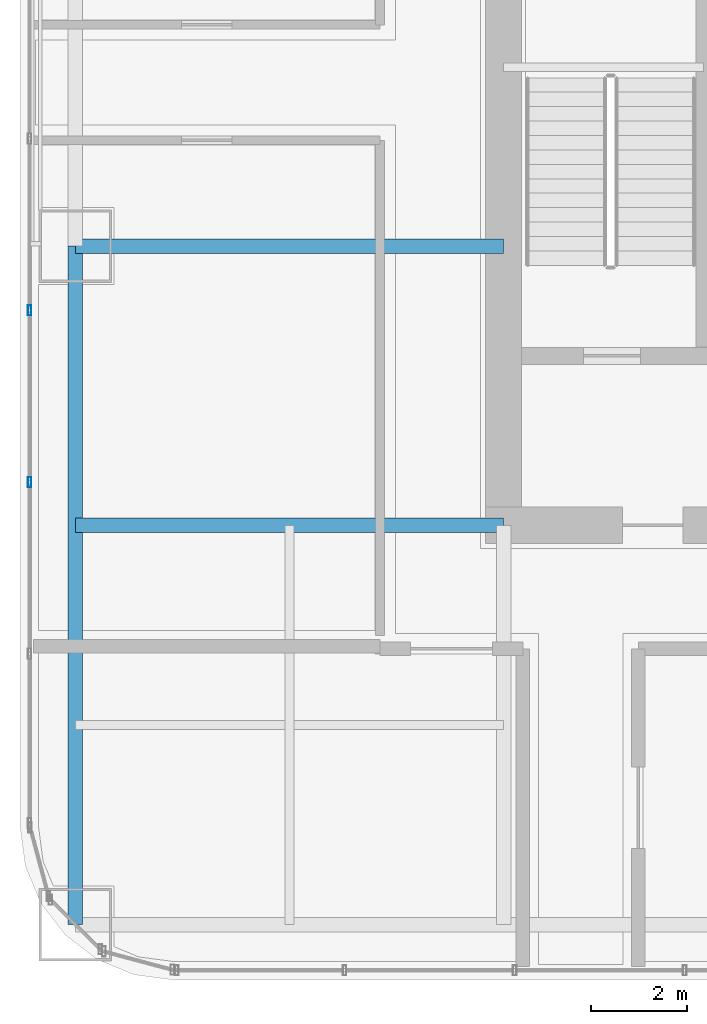
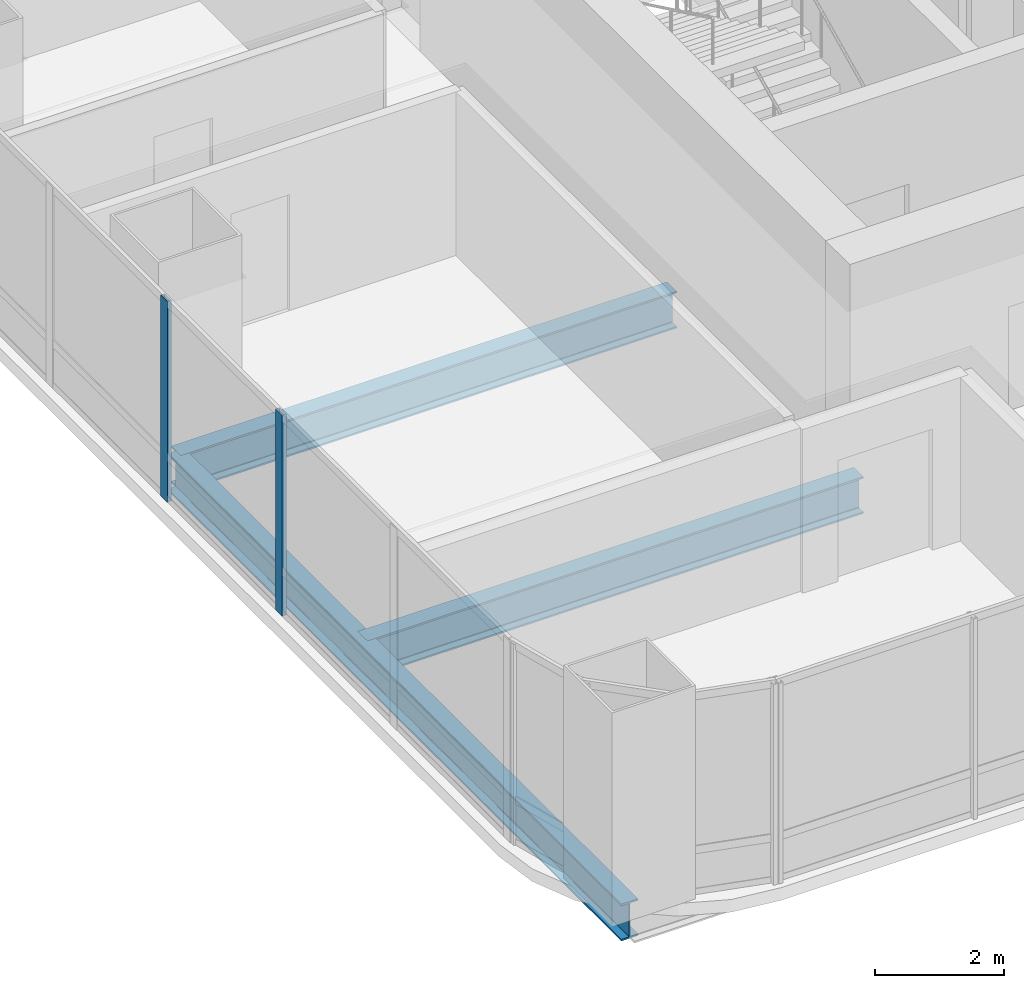
# One storey, part 4 of 34: 3 beams, 2 members, 1 element without a shape of its own.
"""IFC4 building model written with IfcOpenShell, lengths in metres."""

from ifc_helpers import new_model, si_unit, direction, frame, origin, origin_2d, place, context, subcontext, project, spatial, hollow_rectangle, i_section, extrude, material, material_profile, profile_set, type_object, element, aggregate, save


model = new_model("IFC4")

# Units and contexts
model_context = context("Model", 3, precision=1e-05, world=origin(), true_north=direction((0.0, 1.0)))
body_context = subcontext(model_context, "Body", "Model", "MODEL_VIEW")
ifc_project = project(units=[si_unit("LENGTHUNIT", "METRE"), si_unit("AREAUNIT", "SQUARE_METRE"), si_unit("VOLUMEUNIT", "CUBIC_METRE"), si_unit("PLANEANGLEUNIT", "RADIAN"), si_unit("MASSUNIT", "GRAM", prefix="KILO")], contexts=[model_context])

# Site, building, storey
site_placement = place(None, origin())
site = spatial("IfcSite", under=ifc_project, at=site_placement, CompositionType="ELEMENT")
building_placement = place(site_placement, origin())
building = spatial("IfcBuilding", under=site, at=building_placement, Name="Punatoya Terracotta Tower", CompositionType="ELEMENT")
storey_placement = place(building_placement, frame((0.0, 0.0, 97.050048828125)))
storey = spatial("IfcBuildingStorey", under=building, at=storey_placement, Name="L22", CompositionType="ELEMENT", Elevation=97.050048828125)

# Beams
ifc_material_1 = material(Name="Steel S355", Category="steel")
ifc_material_profile_1 = material_profile(ifc_material_1, i_section(OverallWidth=0.300048828125, OverallDepth=0.699951171875, WebThickness=0.01708984375, FlangeThickness=0.031982421875, FilletRadius=0.01806640625, at=origin_2d()))
ifc_profile_set_1 = profile_set([ifc_material_profile_1], Name="Steel S355")
beam_type = type_object("IfcBeamType", Name="BM-PRI-700", PredefinedType="BEAM", material=ifc_profile_set_1)
beam_placement = place(storey_placement, frame((-19.10009765625, -17.5, -0.590087890625), z_axis=(0.0, 1.0, 0.0), x_axis=(-1.0, 0.0, 0.0)))
element("IfcBeam", 1, at=beam_placement, inside=storey, type_object=beam_type, Name="BM-L22-RG-W1", PredefinedType="BEAM", context=body_context, shape_type="SweptSolid", body=[
    extrude(i_section(OverallWidth=0.300048828125, OverallDepth=0.699951171875, WebThickness=0.01708984375, FlangeThickness=0.031982421875, FilletRadius=0.01806640625, at=origin_2d()), origin(), (0.0, 0.0, 1.0), 14.10009765625),
])
for number, where, z_axis, x_axis, name in (
    (2, (-19.10009765625, -9.199951171875, -0.590087890625), (1.0, 0.0, 0.0), (0.0, 1.0, 0.0), "BM-L22-PR-WS"),
    (3, (-19.10009765625, -3.39990234375, -0.590087890625), (1.0, 0.0, 0.0), (0.0, 1.0, 0.0), "BM-L22-PR-WD"),
):
    element("IfcBeam", number, at=place(storey_placement, frame(where, z_axis=z_axis, x_axis=x_axis)), inside=storey, type_object=beam_type, Name=name, PredefinedType="BEAM", context=body_context, shape_type="SweptSolid", body=[
        extrude(i_section(OverallWidth=0.300048828125, OverallDepth=0.699951171875, WebThickness=0.01708984375, FlangeThickness=0.031982421875, FilletRadius=0.01806640625, at=origin_2d()), origin(), (0.0, 0.0, 1.0), 8.900146484375),
    ])

# Curtain wall, members
ifc_material_2 = material(Name="Aluminium 6063-T6 + Double Low-E Glass", Category="aluminium")
curtain_wall_type = type_object("IfcCurtainWallType", Name="CW-M1", PredefinedType="NOTDEFINED", material=ifc_material_2)
curtain_wall_placement = place(storey_placement, origin())
curtain_wall = element("IfcCurtainWall", 4, at=curtain_wall_placement, inside=storey, type_object=curtain_wall_type, Name="L22 Curtain Wall CW-L22-W13-1", PredefinedType="NOTDEFINED")
ifc_material_3 = material(Name="Aluminium 6063-T6", Category="aluminium")
ifc_material_profile_2 = material_profile(ifc_material_3, hollow_rectangle(XDim=0.074951171875, YDim=0.2099609375, WallThickness=0.00439453125, at=origin_2d()))
ifc_profile_set_2 = profile_set([ifc_material_profile_2], Name="Aluminium 6063-T6")
member_type = type_object("IfcMemberType", Name="CW-MUL-M1", PredefinedType="MULLION", material=ifc_profile_set_2)
member_1_placement = place(storey_placement, frame((-20.050048828125, -4.73486328125, 0.0), z_axis=(0.0, 0.0, 1.0), x_axis=(1.0, 0.0, 0.0)))
member_1 = element("IfcMember", 5, at=member_1_placement, type_object=member_type, Name="CW-L22-W13-1 Mullion 07", PredefinedType="MULLION", context=body_context, shape_type="SweptSolid", body=[
    extrude(hollow_rectangle(XDim=0.074951171875, YDim=0.2099609375, WallThickness=0.00439453125, at=origin_2d()), origin(), (0.0, 0.0, 1.0), 3.81005859375),
])
member_2_placement = place(storey_placement, frame((-20.050048828125, -8.302001953125, 0.0), z_axis=(0.0, 0.0, 1.0), x_axis=(1.0, 0.0, 0.0)))
member_2 = element("IfcMember", 6, at=member_2_placement, type_object=member_type, Name="CW-L22-W13-1 Mullion 08", PredefinedType="MULLION", context=body_context, shape_type="SweptSolid", body=[
    extrude(hollow_rectangle(XDim=0.074951171875, YDim=0.2099609375, WallThickness=0.00439453125, at=origin_2d()), origin(), (0.0, 0.0, 1.0), 3.81005859375),
])
aggregate(curtain_wall, [member_1, member_2])

save(model, "model.ifc")
